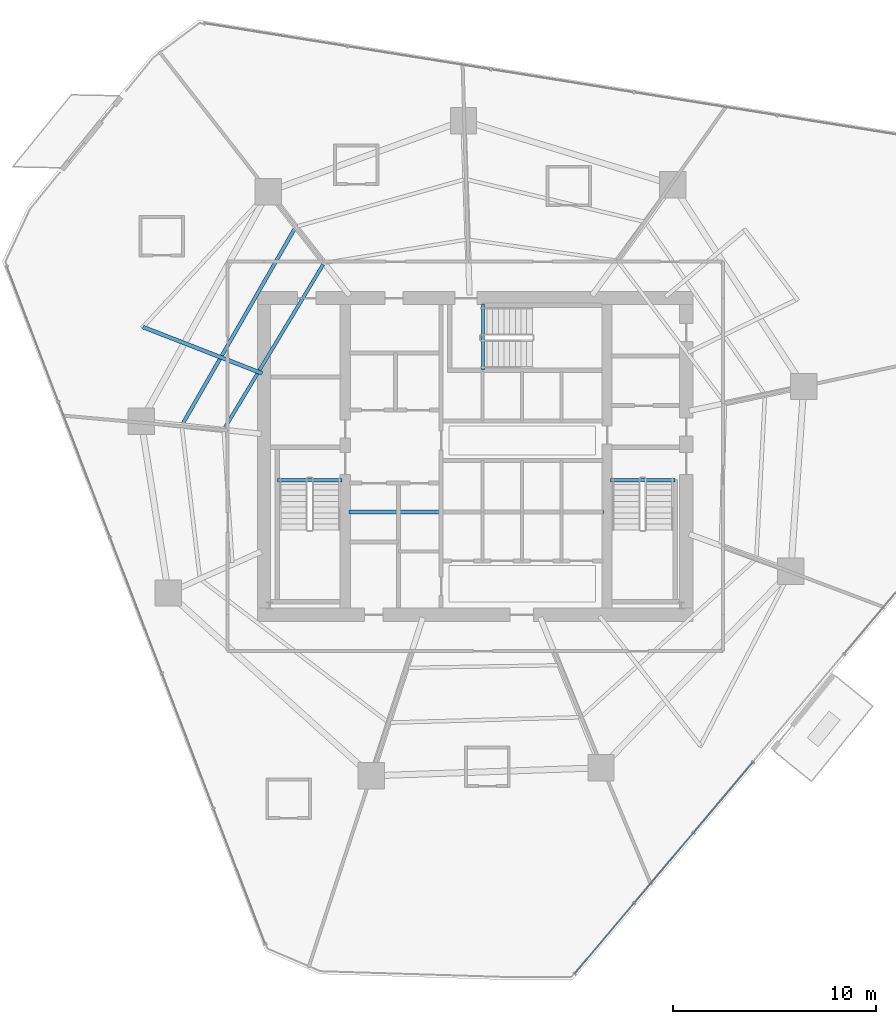
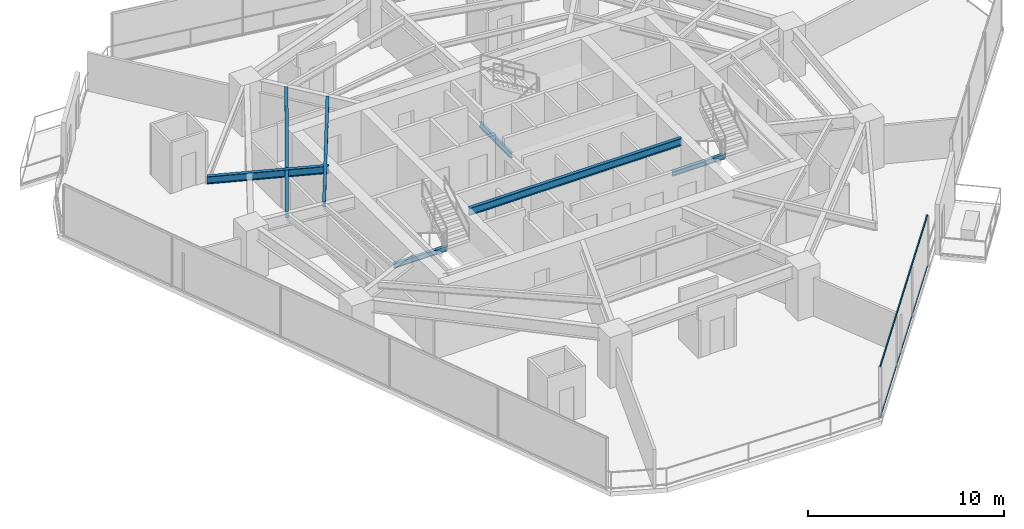
# One storey, part 8 of 31: 7 beams, 2 members, 1 element without a shape of its own.
"""IFC4 building model written with IfcOpenShell, lengths in metres."""

import ifcopenshell
import ifcopenshell.guid

model = None  # the IFC model being written
_history = None  # IfcOwnerHistory: only IFC2X3 demands one
_inside = {}  # id of a spatial element -> (the spatial element, [elements in it])
_under = {}  # id of a project, library or spatial element -> (it, [spatial elements below it])
_declared = {}  # id of a project -> (the project, [libraries it declares])
_typed = {}  # id of a type object -> (the type object, [elements of that type])
_made_of = {}  # id of a material, layer set ... -> (it, [elements and type objects made of it])


def new_model(schema):
    """Start an empty IFC model of exactly this schema.

    Asked for "IFC4X3", IfcOpenShell would pick the latest addendum, in which some entities
    have other attributes; the version numbers below select the first issue.
    IFC2X3 requires an IfcOwnerHistory on every rooted entity: one is made here for all.
    """
    global model, _history
    if schema == "IFC4X3":
        model = ifcopenshell.file(schema_version=(4, 3, 0, 0))
    else:
        model = ifcopenshell.file(schema=schema)
    _inside.clear()
    _under.clear()
    _declared.clear()
    _typed.clear()
    _made_of.clear()
    _history = None
    if model.schema == "IFC2X3":
        org = make("IfcOrganization", Name="unknown")
        user = make(
            "IfcPersonAndOrganization",
            ThePerson=make("IfcPerson", FamilyName="unknown"),
            TheOrganization=org,
        )
        app = make(
            "IfcApplication",
            ApplicationDeveloper=org,
            Version="unknown",
            ApplicationFullName="unknown",
            ApplicationIdentifier="unknown",
        )
        _history = make(
            "IfcOwnerHistory",
            OwningUser=user,
            OwningApplication=app,
            ChangeAction="ADDED",
            CreationDate=0,
        )
    return model


def make(cls, **values):
    """One entity of the class cls with the attributes given. An attribute that is None is left unset."""
    return model.create_entity(
        cls, **{name: value for name, value in values.items() if value is not None}
    )


def rooted(cls, **values):
    """An entity with a GlobalId (a new one), such as an element, a storey or a relation."""
    return make(cls, GlobalId=ifcopenshell.guid.new(), OwnerHistory=_history, **values)


def si_unit(unit_type, name, prefix=None):
    """IfcSIUnit, for example si_unit("LENGTHUNIT", "METRE", prefix="MILLI")."""
    return make("IfcSIUnit", UnitType=unit_type, Prefix=prefix, Name=name)


def assignment(units):
    """IfcUnitAssignment: the units of a project."""
    return None if units is None else make("IfcUnitAssignment", Units=units)


def point(xyz):
    """IfcCartesianPoint."""
    return None if xyz is None else make("IfcCartesianPoint", Coordinates=xyz)


def direction(xyz):
    """IfcDirection."""
    return None if xyz is None else make("IfcDirection", DirectionRatios=xyz)


def frame(location, z_axis=None, x_axis=None):
    """IfcAxis2Placement3D, a coordinate frame: its origin and axes. An axis left out is left unset."""
    return make(
        "IfcAxis2Placement3D",
        Location=point(location),
        Axis=direction(z_axis),
        RefDirection=direction(x_axis),
    )


def frame_2d(location, x_axis=None):
    """IfcAxis2Placement2D, a coordinate frame in the plane: its origin and x axis."""
    return make(
        "IfcAxis2Placement2D", Location=point(location), RefDirection=direction(x_axis)
    )


def origin():
    """The frame at (0, 0, 0) with its axes left unset."""
    return frame((0.0, 0.0, 0.0))


def origin_2d():
    """The frame at (0, 0) in the plane with its x axis left unset."""
    return frame_2d((0.0, 0.0))


def place(relative_to, where):
    """IfcLocalPlacement: puts the frame where relative to a parent placement (None: the world)."""
    return make(
        "IfcLocalPlacement", PlacementRelTo=relative_to, RelativePlacement=where
    )


def context(
    kind, dimensions, precision=None, world=None, true_north=None, identifier=None
):
    """IfcGeometricRepresentationContext, for example the 3D "Model" context."""
    return make(
        "IfcGeometricRepresentationContext",
        ContextIdentifier=identifier,
        ContextType=kind,
        CoordinateSpaceDimension=dimensions,
        Precision=precision,
        WorldCoordinateSystem=world,
        TrueNorth=true_north,
    )


def subcontext(parent, identifier, kind, view, scale=None):
    """IfcGeometricRepresentationSubContext, for example "Body" below "Model"."""
    return make(
        "IfcGeometricRepresentationSubContext",
        ContextIdentifier=identifier,
        ContextType=kind,
        ParentContext=parent,
        TargetScale=scale,
        TargetView=view,
    )


def project(units=None, contexts=None):
    """IfcProject with its units and contexts."""
    return rooted(
        "IfcProject",
        Name="project",
        RepresentationContexts=contexts,
        UnitsInContext=assignment(units),
    )


def spatial(cls, under=None, at=None, **own):
    """A site, building, storey or space (cls), placed at a placement, below another one or the project."""
    s = rooted(cls, ObjectPlacement=at, **own)
    if under is not None:
        _under.setdefault(under.id(), (under, []))[1].append(s)
    return s


def profile(cls, at=None, kind="AREA", **sizes):
    """A parametric profile (cls). Its sizes go by their IFC names, for example OverallWidth=200.0."""
    return make(cls, ProfileType=kind, Position=at, **sizes)


def hollow_rectangle(**sizes):
    """IfcRectangleHollowProfileDef."""
    return profile("IfcRectangleHollowProfileDef", **sizes)


def i_section(**sizes):
    """IfcIShapeProfileDef."""
    return profile("IfcIShapeProfileDef", **sizes)


def extrude(swept, where, along, depth):
    """IfcExtrudedAreaSolid: the profile swept, set in the frame where, extruded along a direction by depth."""
    return make(
        "IfcExtrudedAreaSolid",
        SweptArea=swept,
        Position=where,
        ExtrudedDirection=direction(along),
        Depth=depth,
    )


def shape(context_of_items, identifier, shape_type, items):
    """IfcShapeRepresentation: the items that make up one representation, for example the "Body"."""
    return make(
        "IfcShapeRepresentation",
        ContextOfItems=context_of_items,
        RepresentationIdentifier=identifier,
        RepresentationType=shape_type,
        Items=items,
    )


def material(Name=None, Category=None):
    """IfcMaterial."""
    return make("IfcMaterial", Name=Name, Category=Category)


def layer(
    of_material, thickness, ventilated=None, Name=None, Category=None, Priority=None
):
    """IfcMaterialLayer: one layer of a wall or slab, of a material (None: an air gap)."""
    return make(
        "IfcMaterialLayer",
        Material=of_material,
        LayerThickness=thickness,
        IsVentilated=ventilated,
        Name=Name,
        Category=Category,
        Priority=Priority,
    )


def layer_set(layers, Name=None):
    """IfcMaterialLayerSet."""
    return make("IfcMaterialLayerSet", MaterialLayers=layers, LayerSetName=Name)


def material_profile(
    of_material, cross_section, Name=None, Category=None, Priority=None
):
    """IfcMaterialProfile: a cross section and its material."""
    return make(
        "IfcMaterialProfile",
        Name=Name,
        Material=of_material,
        Profile=cross_section,
        Priority=Priority,
        Category=Category,
    )


def profile_set(profiles, Name=None, composite=None):
    """IfcMaterialProfileSet."""
    return make(
        "IfcMaterialProfileSet",
        Name=Name,
        MaterialProfiles=profiles,
        CompositeProfile=composite,
    )


def made_of(thing, what):
    """Note that an element or type object is made of a material, layer set ...; save() writes the relation."""
    if what is not None:
        _made_of.setdefault(what.id(), (what, []))[1].append(thing)
    return thing


def type_object(cls, material=None, **own):
    """A type object (cls), such as IfcWallType, which elements share."""
    return made_of(rooted(cls, **own), material)


def element(
    cls,
    number,
    at=None,
    inside=None,
    cuts=None,
    type_object=None,
    material=None,
    context=None,
    identifier="Body",
    shape_type=None,
    held_by="IfcProductDefinitionShape",
    body=None,
    shapes=None,
    **own,
):
    """One element of the class cls, such as IfcWall. Its Tag is "e" and its number.

    at: its placement. inside: the storey or other place that contains it. cuts: it is an
    opening in that element (IfcRelVoidsElement). A single representation is given by context,
    identifier, shape_type and body (its items); several are given by shapes. held_by: the class
    of the entity that holds the representations. save() writes the other relations.
    """
    e = rooted(cls, Tag="e%d" % number, ObjectPlacement=at, **own)
    if body is not None:
        shapes = [shape(context, identifier, shape_type, body)]
    if shapes is not None:
        e.Representation = make(held_by, Representations=shapes)
    if inside is not None:
        _inside.setdefault(inside.id(), (inside, []))[1].append(e)
    if cuts is not None:
        rooted(
            "IfcRelVoidsElement", RelatingBuildingElement=cuts, RelatedOpeningElement=e
        )
    if type_object is not None:
        _typed.setdefault(type_object.id(), (type_object, []))[1].append(e)
    return made_of(e, material)


def aggregate(whole, parts):
    """IfcRelAggregates: a whole, such as a stair, and the parts it consists of."""
    return rooted("IfcRelAggregates", RelatingObject=whole, RelatedObjects=parts)


def save(model, path):
    """Write the relations noted so far, then the file.

    IfcRelAggregates (storeys below a building ...), IfcRelContainedInSpatialStructure (elements
    in a storey), IfcRelDefinesByType, IfcRelAssociatesMaterial and IfcRelDeclares: one each for
    every whole, place, type object, material and project.
    """
    for whole, parts in _under.values():
        aggregate(whole, parts)
    for where, things in _inside.values():
        rooted(
            "IfcRelContainedInSpatialStructure",
            RelatedElements=things,
            RelatingStructure=where,
        )
    for kind, things in _typed.values():
        rooted("IfcRelDefinesByType", RelatedObjects=things, RelatingType=kind)
    for what, things in _made_of.values():
        rooted("IfcRelAssociatesMaterial", RelatedObjects=things, RelatingMaterial=what)
    for by, libraries in _declared.values():
        rooted("IfcRelDeclares", RelatingContext=by, RelatedDefinitions=libraries)
    model.write(path)


model = new_model("IFC4")

# Units and contexts
model_context = context("Model", 3, precision=1e-05, world=origin(), true_north=direction((0.0, 1.0)))
body_context = subcontext(model_context, "Body", "Model", "MODEL_VIEW")
ifc_project = project(units=[si_unit("LENGTHUNIT", "METRE"), si_unit("AREAUNIT", "SQUARE_METRE"), si_unit("VOLUMEUNIT", "CUBIC_METRE"), si_unit("PLANEANGLEUNIT", "RADIAN"), si_unit("MASSUNIT", "GRAM", prefix="KILO")], contexts=[model_context])

# Site, building, storey
site_placement = place(None, origin())
site = spatial("IfcSite", under=ifc_project, at=site_placement, CompositionType="ELEMENT")
building_placement = place(site_placement, origin())
building = spatial("IfcBuilding", under=site, at=building_placement, Name="Qarnah Convention Tower", CompositionType="ELEMENT")
storey_placement = place(building_placement, frame((0.0, 0.0, 33.89990234375)))
storey = spatial("IfcBuildingStorey", under=building, at=storey_placement, Name="L07", CompositionType="ELEMENT", Elevation=33.89990234375)

# Beams
ifc_material_1 = material(Name="Structural steel S355JR", Category="steel")
ifc_material_profile_1 = material_profile(ifc_material_1, i_section(OverallWidth=0.19189453125, OverallDepth=0.464111328125, WebThickness=0.010986328125, FlangeThickness=0.01806640625, at=origin_2d()), Name="W460X89")
ifc_profile_set_1 = profile_set([ifc_material_profile_1], Name="Structural steel S355JR")
beam_type_1 = type_object("IfcBeamType", Name="BM-CANT-W460A", PredefinedType="BEAM", material=ifc_profile_set_1)
beam_1_placement = place(storey_placement, frame((30.97998046875, 23.64990234375, 2.93798828125), z_axis=(1.0, 0.0, 0.0), x_axis=(0.0, 1.0, 0.0)))
element("IfcBeam", 1, at=beam_1_placement, inside=storey, type_object=beam_type_1, Name="L07 beam BM-L07-KC1", PredefinedType="BEAM", context=body_context, shape_type="SweptSolid", body=[
    extrude(i_section(OverallWidth=0.19189453125, OverallDepth=0.464111328125, WebThickness=0.010986328125, FlangeThickness=0.01806640625, at=origin_2d()), origin(), (0.0, 0.0, 1.0), 12.5400390625),
])
beam_2_placement = place(storey_placement, frame((26.70703125, 30.48388671875, 2.93798828125), z_axis=(-0.931897088326, 0.36272278226, 0.0), x_axis=(-0.36272278226, -0.931897088326, 0.0)))
element("IfcBeam", 2, at=beam_2_placement, inside=storey, type_object=beam_type_1, Name="L07 beam BM-L07-CNT-02-2", PredefinedType="BEAM", context=body_context, shape_type="SweptSolid", body=[
    extrude(i_section(OverallWidth=0.19189453125, OverallDepth=0.464111328125, WebThickness=0.010986328125, FlangeThickness=0.01806640625, at=origin_2d()), origin(), (0.0, 0.0, 1.0), 6.305419921875),
])
ifc_material_profile_2 = material_profile(ifc_material_1, i_section(OverallWidth=0.166015625, OverallDepth=0.31201171875, WebThickness=0.007080078125, FlangeThickness=0.010986328125, at=origin_2d()), Name="W310X45")
ifc_profile_set_2 = profile_set([ifc_material_profile_2], Name="Structural steel S355JR")
beam_type_2 = type_object("IfcBeamType", Name="BM-JST-W310", PredefinedType="JOIST", material=ifc_profile_set_2)
for number, where, z_axis, x_axis, name in (
    (3, (27.4599609375, 25.217041015625, -0.156005859375), (1.0, 0.0, 0.0), (0.0, 1.0, 0.0), "L07 stair landing trimmer beam BM-L07-ST1-TRM"),
    (4, (43.860107421875, 25.217041015625, -0.156005859375), (1.0, 0.0, 0.0), (0.0, 1.0, 0.0), "L07 stair landing trimmer beam BM-L07-ST2-TRM"),
):
    element("IfcBeam", number, at=place(storey_placement, frame(where, z_axis=z_axis, x_axis=x_axis)), inside=storey, type_object=beam_type_2, Name=name, PredefinedType="BEAM", context=body_context, shape_type="SweptSolid", body=[
        extrude(i_section(OverallWidth=0.166015625, OverallDepth=0.31201171875, WebThickness=0.007080078125, FlangeThickness=0.010986328125, at=origin_2d()), origin(), (0.0, 0.0, 1.0), 3.179931640625),
    ])
beam_3_placement = place(storey_placement, frame((37.5830078125, 30.659912109375, -0.156005859375), z_axis=(0.0, 1.0, 0.0), x_axis=(-1.0, 0.0, 0.0)))
element("IfcBeam", 5, at=beam_3_placement, inside=storey, type_object=beam_type_2, Name="L07 stair landing trimmer beam BM-L07-ST3-TRM", PredefinedType="BEAM", context=body_context, shape_type="SweptSolid", body=[
    extrude(i_section(OverallWidth=0.166015625, OverallDepth=0.31201171875, WebThickness=0.007080078125, FlangeThickness=0.010986328125, at=origin_2d()), origin(), (0.0, 0.0, 1.0), 3.239990234375),
])
beam_4_placement = place(storey_placement, frame((29.708984375, 35.85302734375, 3.01416015625), z_axis=(-0.515919880383, -0.856636840805, 0.0), x_axis=(0.856636840805, -0.515919880383, 0.0)))
element("IfcBeam", 6, at=beam_4_placement, inside=storey, type_object=beam_type_2, Name="L07 joist BM-L07-IJST-04", PredefinedType="JOIST", context=body_context, shape_type="SweptSolid", body=[
    extrude(i_section(OverallWidth=0.166015625, OverallDepth=0.31201171875, WebThickness=0.007080078125, FlangeThickness=0.010986328125, at=origin_2d()), origin(), (0.0, 0.0, 1.0), 9.424072265625),
])
ifc_material_profile_3 = material_profile(ifc_material_1, i_section(OverallWidth=0.177978515625, OverallDepth=0.407958984375, WebThickness=0.008056640625, FlangeThickness=0.012939453125, at=origin_2d()), Name="W410X60")
ifc_profile_set_3 = profile_set([ifc_material_profile_3], Name="Structural steel S355JR")
beam_type_3 = type_object("IfcBeamType", Name="BM-JST-W410", PredefinedType="JOIST", material=ifc_profile_set_3)
beam_5_placement = place(storey_placement, frame((28.31689453125, 37.634033203125, 2.966064453125), z_axis=(-0.497881902543, -0.867244839201, 0.0), x_axis=(0.867244839201, -0.497881902543, 0.0)))
element("IfcBeam", 7, at=beam_5_placement, inside=storey, type_object=beam_type_3, Name="L07 joist BM-L07-SJST-04", PredefinedType="JOIST", context=body_context, shape_type="SweptSolid", body=[
    extrude(i_section(OverallWidth=0.177978515625, OverallDepth=0.407958984375, WebThickness=0.008056640625, FlangeThickness=0.012939453125, at=origin_2d()), origin(), (0.0, 0.0, 1.0), 11.111083984375),
])

# Curtain wall, members
ifc_material_2 = material(Name="Tempered Low-E dark glass", Category="glass")
ifc_layer = layer(ifc_material_2, 0.16796875)
ifc_layer_set = layer_set([ifc_layer], Name="Tempered Low-E dark glass")
curtain_wall_type = type_object("IfcCurtainWallType", Name="CWS-01", PredefinedType="NOTDEFINED", material=ifc_layer_set)
curtain_wall_placement = place(storey_placement, origin())
curtain_wall = element("IfcCurtainWall", 8, at=curtain_wall_placement, inside=storey, type_object=curtain_wall_type, Name="L07 unitised curtain wall CW-L07-F4", PredefinedType="NOTDEFINED")
ifc_material_3 = material(Name="Black anodised aluminium", Category="aluminium")
ifc_material_profile_4 = material_profile(ifc_material_3, hollow_rectangle(XDim=0.06005859375, YDim=0.1298828125, WallThickness=0.00390625, at=origin_2d()), Name="TRN-60X130")
ifc_profile_set_4 = profile_set([ifc_material_profile_4], Name="Black anodised aluminium")
member_type = type_object("IfcMemberType", Name="TRN-T1", PredefinedType="USERDEFINED", material=ifc_profile_set_4)
member_1_placement = place(storey_placement, frame((50.89208984375, 11.339111328125, 0.0), z_axis=(-0.644437678712, -0.764656836925, 0.0), x_axis=(0.764656836925, -0.644437678712, 0.0)))
member_1 = element("IfcMember", 9, at=member_1_placement, type_object=member_type, Name="CW-L07-F4 transom 1", ObjectType="TRANSOM", PredefinedType="USERDEFINED", context=body_context, shape_type="SweptSolid", body=[
    extrude(hollow_rectangle(XDim=0.06005859375, YDim=0.1298828125, WallThickness=0.00390625, at=origin_2d()), origin(), (0.0, 0.0, 1.0), 13.642822265625),
])
member_2_placement = place(storey_placement, frame((50.89208984375, 11.339111328125, 3.170166015625), z_axis=(-0.644437678712, -0.764656836925, 0.0), x_axis=(0.764656836925, -0.644437678712, 0.0)))
member_2 = element("IfcMember", 10, at=member_2_placement, type_object=member_type, Name="CW-L07-F4 transom 2", ObjectType="TRANSOM", PredefinedType="USERDEFINED", context=body_context, shape_type="SweptSolid", body=[
    extrude(hollow_rectangle(XDim=0.06005859375, YDim=0.1298828125, WallThickness=0.00390625, at=origin_2d()), origin(), (0.0, 0.0, 1.0), 13.642822265625),
])
aggregate(curtain_wall, [member_1, member_2])

save(model, "model.ifc")
